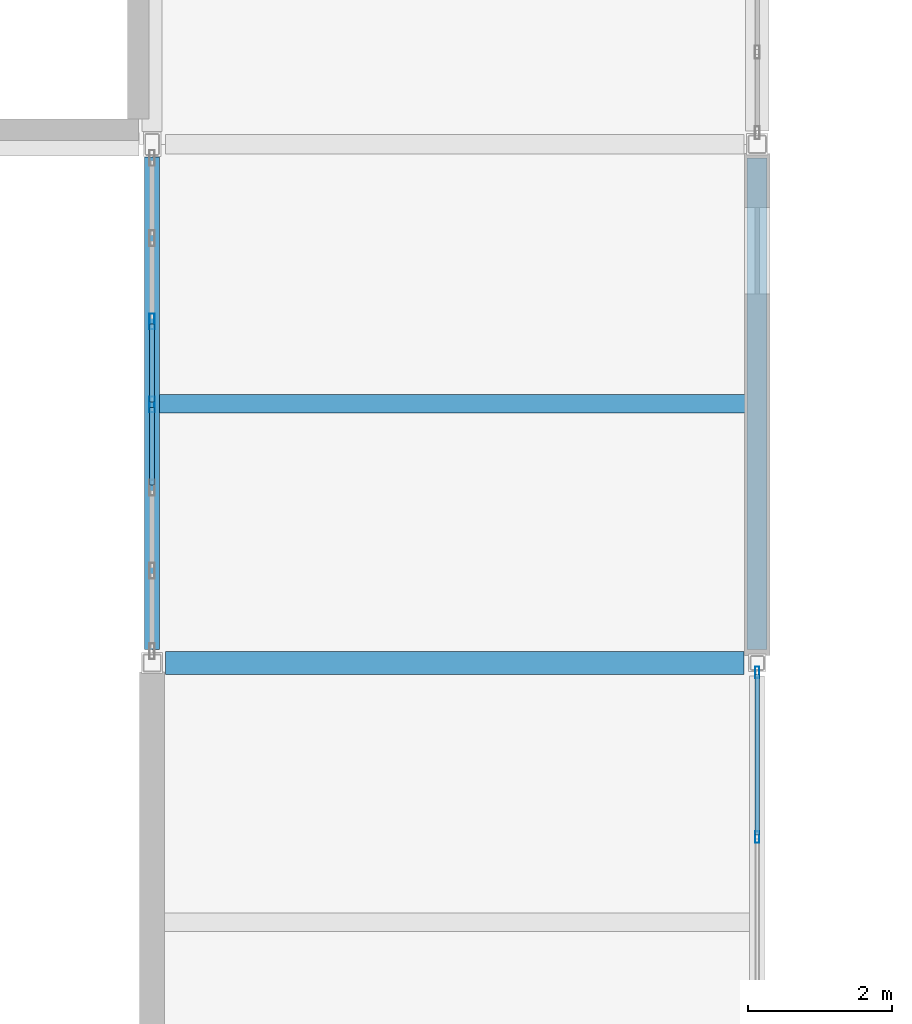
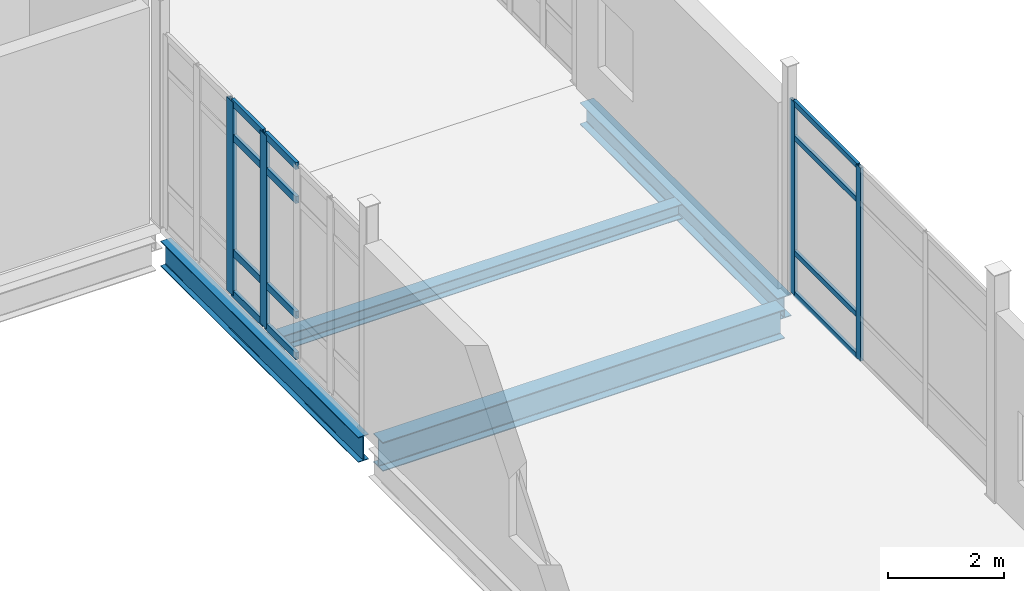
# One storey, part 56 of 153: 16 members, 4 beams, 2 elements without a shape of their own.
"""IFC4 building model written with IfcOpenShell, lengths in metres."""

from ifc_helpers import new_model, si_unit, direction, frame, origin, origin_2d, place, context, subcontext, project, spatial, hollow_rectangle, i_section, extrude, material, layer, layer_set, material_profile, profile_set, type_object, element, aggregate, save


model = new_model("IFC4")

# Units and contexts
model_context = context("Model", 3, precision=1e-05, world=origin(), true_north=direction((0.0, 1.0)))
body_context = subcontext(model_context, "Body", "Model", "MODEL_VIEW")
ifc_project = project(units=[si_unit("LENGTHUNIT", "METRE"), si_unit("AREAUNIT", "SQUARE_METRE"), si_unit("VOLUMEUNIT", "CUBIC_METRE"), si_unit("PLANEANGLEUNIT", "RADIAN"), si_unit("MASSUNIT", "GRAM", prefix="KILO")], contexts=[model_context])

# Site, building, storey
site_placement = place(None, origin())
site = spatial("IfcSite", under=ifc_project, at=site_placement, CompositionType="ELEMENT")
building_placement = place(site_placement, origin())
building = spatial("IfcBuilding", under=site, at=building_placement, Name="Calvrana Isthmian Art Gallery", CompositionType="ELEMENT")
storey_placement = place(building_placement, frame((0.0, 0.0, 10.199951171875)))
storey = spatial("IfcBuildingStorey", under=building, at=storey_placement, Name="L02", CompositionType="ELEMENT", Elevation=10.199951171875)

# Beams
ifc_material_1 = material(Name="Steel ASTM A992 Gr 50", Category="steel")
ifc_material_profile_1 = material_profile(ifc_material_1, i_section(OverallWidth=0.279052734375, OverallDepth=0.4619140625, WebThickness=0.0107421875, FlangeThickness=0.017333984375, FilletRadius=0.02001953125, at=origin_2d()), Name="W18X76")
ifc_profile_set_1 = profile_set([ifc_material_profile_1], Name="Steel ASTM A992 Gr 50")
beam_type_1 = type_object("IfcBeamType", Name="BM-G-W18X76", PredefinedType="BEAM", material=ifc_profile_set_1)
beam_1_placement = place(storey_placement, frame((63.60009765625, 91.384033203125, -0.495849609375), z_axis=(0.0, 1.0, 0.0), x_axis=(-1.0, 0.0, 0.0)))
element("IfcBeam", 1, at=beam_1_placement, inside=storey, type_object=beam_type_1, Name="Girder Y L02 09/M-N", PredefinedType="BEAM", context=body_context, shape_type="SweptSolid", body=[
    extrude(i_section(OverallWidth=0.279052734375, OverallDepth=0.4619140625, WebThickness=0.0107421875, FlangeThickness=0.017333984375, FilletRadius=0.02001953125, at=origin_2d()), origin(), (0.0, 0.0, 1.0), 6.829345703125),
])
ifc_material_profile_2 = material_profile(ifc_material_1, i_section(OverallWidth=0.208984375, OverallDepth=0.532958984375, WebThickness=0.01025390625, FlangeThickness=0.015625, FilletRadius=0.02099609375, at=origin_2d()), Name="W21X62")
ifc_profile_set_2 = profile_set([ifc_material_profile_2], Name="Steel ASTM A992 Gr 50")
beam_type_2 = type_object("IfcBeamType", Name="BM-G-W21X62", PredefinedType="BEAM", material=ifc_profile_set_2)
beam_2_placement = place(storey_placement, frame((55.199951171875, 91.386474609375, -0.531494140625), z_axis=(0.0, 1.0, 0.0), x_axis=(-1.0, 0.0, 0.0)))
element("IfcBeam", 2, at=beam_2_placement, inside=storey, type_object=beam_type_2, Name="Girder Y L02 08/M-N", PredefinedType="BEAM", context=body_context, shape_type="SweptSolid", body=[
    extrude(i_section(OverallWidth=0.208984375, OverallDepth=0.532958984375, WebThickness=0.01025390625, FlangeThickness=0.015625, FilletRadius=0.02099609375, at=origin_2d()), origin(), (0.0, 0.0, 1.0), 6.83544921875),
])
ifc_material_profile_3 = material_profile(ifc_material_1, i_section(OverallWidth=0.324951171875, OverallDepth=0.612060546875, WebThickness=0.0126953125, FlangeThickness=0.01904296875, FilletRadius=0.02197265625, at=origin_2d()), Name="W24X104")
ifc_profile_set_3 = profile_set([ifc_material_profile_3], Name="Steel ASTM A992 Gr 50")
beam_type_3 = type_object("IfcBeamType", Name="BM-G-W24X104", PredefinedType="BEAM", material=ifc_profile_set_3)
beam_3_placement = place(storey_placement, frame((55.386474609375, 91.199951171875, -0.571044921875), z_axis=(1.0, 0.0, 0.0), x_axis=(0.0, 1.0, 0.0)))
element("IfcBeam", 3, at=beam_3_placement, inside=storey, type_object=beam_type_3, Name="Girder X L02 08-09/M", PredefinedType="BEAM", context=body_context, shape_type="SweptSolid", body=[
    extrude(i_section(OverallWidth=0.324951171875, OverallDepth=0.612060546875, WebThickness=0.0126953125, FlangeThickness=0.01904296875, FilletRadius=0.02197265625, at=origin_2d()), origin(), (0.0, 0.0, 1.0), 8.027099609375),
])
ifc_material_profile_4 = material_profile(ifc_material_1, i_section(OverallWidth=0.25390625, OverallDepth=0.306884765625, WebThickness=0.0087890625, FlangeThickness=0.0146484375, FilletRadius=0.01611328125, at=origin_2d()), Name="W12X53")
ifc_profile_set_4 = profile_set([ifc_material_profile_4], Name="Steel ASTM A992 Gr 50")
beam_type_4 = type_object("IfcBeamType", Name="BM-J-W12X53", PredefinedType="JOIST", material=ifc_profile_set_4)
beam_4_placement = place(storey_placement, frame((55.304443359375, 94.800048828125, -0.41845703125), z_axis=(1.0, 0.0, 0.0), x_axis=(0.0, 1.0, 0.0)))
element("IfcBeam", 4, at=beam_4_placement, inside=storey, type_object=beam_type_4, Name="Composite joist L02 bay 07-12", PredefinedType="JOIST", context=body_context, shape_type="SweptSolid", body=[
    extrude(i_section(OverallWidth=0.25390625, OverallDepth=0.306884765625, WebThickness=0.0087890625, FlangeThickness=0.0146484375, FilletRadius=0.01611328125, at=origin_2d()), origin(), (0.0, 0.0, 1.0), 8.156005859375),
])

# Curtain wall, members
ifc_material_2 = material(Name="Anodized bronze aluminium 6063-T6", Category="aluminium")
ifc_layer = layer(ifc_material_2, 0.179931640625, Name="Anodized bronze aluminium 6063-T6")
ifc_layer_set = layer_set([ifc_layer], Name="Anodized bronze aluminium 6063-T6")
curtain_wall_type = type_object("IfcCurtainWallType", Name="CW-UNIT-069X41", PredefinedType="USERDEFINED", material=ifc_layer_set)
curtain_wall_1_placement = place(storey_placement, origin())
curtain_wall_1 = element("IfcCurtainWall", 5, at=curtain_wall_1_placement, inside=storey, type_object=curtain_wall_type, Name="Curtain wall CW-175", ObjectType="UNITISED CURTAIN WALL", PredefinedType="USERDEFINED")
ifc_material_profile_5 = material_profile(ifc_material_2, hollow_rectangle(XDim=0.06005859375, YDim=0.159912109375, WallThickness=0.00390625, at=origin_2d()), Name="CWM60X160")
ifc_profile_set_5 = profile_set([ifc_material_profile_5], Name="Anodized bronze aluminium 6063-T6")
member_type_1 = type_object("IfcMemberType", Name="CWM-CWM60X160", PredefinedType="MULLION", material=ifc_profile_set_5)
member_1_placement = place(storey_placement, frame((63.60009765625, 91.068359375, 0.0), z_axis=(0.0, 0.0, 1.0), x_axis=(1.0, 0.0, 0.0)))
member_1 = element("IfcMember", 6, at=member_1_placement, type_object=member_type_1, Name="CW-175 mullion 1", PredefinedType="MULLION", context=body_context, shape_type="SweptSolid", body=[
    extrude(hollow_rectangle(XDim=0.06005859375, YDim=0.159912109375, WallThickness=0.00390625, at=origin_2d()), origin(), (0.0, 0.0, 1.0), 4.078125),
])
member_2_placement = place(storey_placement, frame((63.60009765625, 88.782958984375, 0.0), z_axis=(0.0, 0.0, 1.0), x_axis=(1.0, 0.0, 0.0)))
member_2 = element("IfcMember", 7, at=member_2_placement, type_object=member_type_1, Name="CW-175 mullion 2", PredefinedType="MULLION", context=body_context, shape_type="SweptSolid", body=[
    extrude(hollow_rectangle(XDim=0.06005859375, YDim=0.159912109375, WallThickness=0.00390625, at=origin_2d()), origin(), (0.0, 0.0, 1.0), 4.078125),
])

curtain_wall_2_placement = place(storey_placement, origin())
curtain_wall_2 = element("IfcCurtainWall", 8, at=curtain_wall_2_placement, inside=storey, type_object=curtain_wall_type, Name="Curtain wall CW-172", ObjectType="UNITISED CURTAIN WALL", PredefinedType="USERDEFINED")
ifc_material_profile_6 = material_profile(ifc_material_2, hollow_rectangle(XDim=0.074951171875, YDim=0.219970703125, WallThickness=0.0048828125, at=origin_2d()), Name="CWM75X220")
ifc_profile_set_6 = profile_set([ifc_material_profile_6], Name="Anodized bronze aluminium 6063-T6")
member_type_2 = type_object("IfcMemberType", Name="CWM-CWM75X220", PredefinedType="MULLION", material=ifc_profile_set_6)
member_3_placement = place(storey_placement, frame((55.199951171875, 94.787353515625, 0.0), z_axis=(0.0, 0.0, 1.0), x_axis=(-1.0, 0.0, 0.0)))
member_3 = element("IfcMember", 9, at=member_3_placement, type_object=member_type_2, Name="CW-172 mullion 4", PredefinedType="MULLION", context=body_context, shape_type="SweptSolid", body=[
    extrude(hollow_rectangle(XDim=0.074951171875, YDim=0.219970703125, WallThickness=0.0048828125, at=origin_2d()), origin(), (0.0, 0.0, 1.0), 4.078125),
])
member_4_placement = place(storey_placement, frame((55.199951171875, 95.940673828125, 0.0), z_axis=(0.0, 0.0, 1.0), x_axis=(-1.0, 0.0, 0.0)))
member_4 = element("IfcMember", 10, at=member_4_placement, type_object=member_type_2, Name="CW-172 mullion 5", PredefinedType="MULLION", context=body_context, shape_type="SweptSolid", body=[
    extrude(hollow_rectangle(XDim=0.074951171875, YDim=0.219970703125, WallThickness=0.0048828125, at=origin_2d()), origin(), (0.0, 0.0, 1.0), 4.078125),
])

# Member
ifc_material_profile_7 = material_profile(ifc_material_2, hollow_rectangle(XDim=0.06005859375, YDim=0.110107421875, WallThickness=0.00341796875, at=origin_2d()), Name="CWT60X110")
ifc_profile_set_7 = profile_set([ifc_material_profile_7], Name="Anodized bronze aluminium 6063-T6")
member_type_3 = type_object("IfcMemberType", Name="CWT-CWT60X110", PredefinedType="USERDEFINED", material=ifc_profile_set_7)
member_5_placement = place(storey_placement, frame((63.60009765625, 91.038330078125, 0.030029296875), z_axis=(0.0, -1.0, 0.0), x_axis=(1.0, 0.0, 0.0)))
member_5 = element("IfcMember", 11, at=member_5_placement, type_object=member_type_3, Name="CW-175 transom 1.1", ObjectType="TRANSOM", PredefinedType="USERDEFINED", context=body_context, shape_type="SweptSolid", body=[
    extrude(hollow_rectangle(XDim=0.06005859375, YDim=0.110107421875, WallThickness=0.00341796875, at=origin_2d()), origin(), (0.0, 0.0, 1.0), 2.225341796875),
])

member_6_placement = place(storey_placement, frame((63.60009765625, 91.038330078125, 0.900146484375), z_axis=(0.0, -1.0, 0.0), x_axis=(1.0, 0.0, 0.0)))
member_6 = element("IfcMember", 12, at=member_6_placement, type_object=member_type_3, Name="CW-175 transom 1.2", ObjectType="TRANSOM", PredefinedType="USERDEFINED", context=body_context, shape_type="SweptSolid", body=[
    extrude(hollow_rectangle(XDim=0.06005859375, YDim=0.110107421875, WallThickness=0.00341796875, at=origin_2d()), origin(), (0.0, 0.0, 1.0), 2.225341796875),
])

member_7_placement = place(storey_placement, frame((63.60009765625, 91.038330078125, 3.328125), z_axis=(0.0, -1.0, 0.0), x_axis=(1.0, 0.0, 0.0)))
member_7 = element("IfcMember", 13, at=member_7_placement, type_object=member_type_3, Name="CW-175 transom 1.3", ObjectType="TRANSOM", PredefinedType="USERDEFINED", context=body_context, shape_type="SweptSolid", body=[
    extrude(hollow_rectangle(XDim=0.06005859375, YDim=0.110107421875, WallThickness=0.00341796875, at=origin_2d()), origin(), (0.0, 0.0, 1.0), 2.225341796875),
])

member_8_placement = place(storey_placement, frame((63.60009765625, 91.038330078125, 4.048095703125), z_axis=(0.0, -1.0, 0.0), x_axis=(1.0, 0.0, 0.0)))
member_8 = element("IfcMember", 14, at=member_8_placement, type_object=member_type_3, Name="CW-175 transom 1.4", ObjectType="TRANSOM", PredefinedType="USERDEFINED", context=body_context, shape_type="SweptSolid", body=[
    extrude(hollow_rectangle(XDim=0.06005859375, YDim=0.110107421875, WallThickness=0.00341796875, at=origin_2d()), origin(), (0.0, 0.0, 1.0), 2.225341796875),
])

aggregate(curtain_wall_1, [member_1, member_2, member_5, member_6, member_7, member_8])

ifc_material_profile_8 = material_profile(ifc_material_2, hollow_rectangle(XDim=0.06494140625, YDim=0.14990234375, WallThickness=0.00390625, at=origin_2d()), Name="CWT65X150")
ifc_profile_set_8 = profile_set([ifc_material_profile_8], Name="Anodized bronze aluminium 6063-T6")
member_type_4 = type_object("IfcMemberType", Name="CWT-CWT65X150", PredefinedType="USERDEFINED", material=ifc_profile_set_8)
member_9_placement = place(storey_placement, frame((55.199951171875, 93.67138671875, 0.032470703125), z_axis=(0.0, 1.0, 0.0), x_axis=(-1.0, 0.0, 0.0)))
member_9 = element("IfcMember", 15, at=member_9_placement, type_object=member_type_4, Name="CW-172 transom 3.1", ObjectType="TRANSOM", PredefinedType="USERDEFINED", context=body_context, shape_type="SweptSolid", body=[
    extrude(hollow_rectangle(XDim=0.06494140625, YDim=0.14990234375, WallThickness=0.00390625, at=origin_2d()), origin(), (0.0, 0.0, 1.0), 1.078369140625),
])

member_10_placement = place(storey_placement, frame((55.199951171875, 93.67138671875, 0.900146484375), z_axis=(0.0, 1.0, 0.0), x_axis=(-1.0, 0.0, 0.0)))
member_10 = element("IfcMember", 16, at=member_10_placement, type_object=member_type_4, Name="CW-172 transom 3.2", ObjectType="TRANSOM", PredefinedType="USERDEFINED", context=body_context, shape_type="SweptSolid", body=[
    extrude(hollow_rectangle(XDim=0.06494140625, YDim=0.14990234375, WallThickness=0.00390625, at=origin_2d()), origin(), (0.0, 0.0, 1.0), 1.078369140625),
])

member_11_placement = place(storey_placement, frame((55.199951171875, 93.67138671875, 3.328125), z_axis=(0.0, 1.0, 0.0), x_axis=(-1.0, 0.0, 0.0)))
member_11 = element("IfcMember", 17, at=member_11_placement, type_object=member_type_4, Name="CW-172 transom 3.3", ObjectType="TRANSOM", PredefinedType="USERDEFINED", context=body_context, shape_type="SweptSolid", body=[
    extrude(hollow_rectangle(XDim=0.06494140625, YDim=0.14990234375, WallThickness=0.00390625, at=origin_2d()), origin(), (0.0, 0.0, 1.0), 1.078369140625),
])

member_12_placement = place(storey_placement, frame((55.199951171875, 93.67138671875, 4.045654296875), z_axis=(0.0, 1.0, 0.0), x_axis=(-1.0, 0.0, 0.0)))
member_12 = element("IfcMember", 18, at=member_12_placement, type_object=member_type_4, Name="CW-172 transom 3.4", ObjectType="TRANSOM", PredefinedType="USERDEFINED", context=body_context, shape_type="SweptSolid", body=[
    extrude(hollow_rectangle(XDim=0.06494140625, YDim=0.14990234375, WallThickness=0.00390625, at=origin_2d()), origin(), (0.0, 0.0, 1.0), 1.078369140625),
])

member_13_placement = place(storey_placement, frame((55.199951171875, 94.82470703125, 0.032470703125), z_axis=(0.0, 1.0, 0.0), x_axis=(-1.0, 0.0, 0.0)))
member_13 = element("IfcMember", 19, at=member_13_placement, type_object=member_type_4, Name="CW-172 transom 4.1", ObjectType="TRANSOM", PredefinedType="USERDEFINED", context=body_context, shape_type="SweptSolid", body=[
    extrude(hollow_rectangle(XDim=0.06494140625, YDim=0.14990234375, WallThickness=0.00390625, at=origin_2d()), origin(), (0.0, 0.0, 1.0), 1.07861328125),
])

member_14_placement = place(storey_placement, frame((55.199951171875, 94.82470703125, 0.900146484375), z_axis=(0.0, 1.0, 0.0), x_axis=(-1.0, 0.0, 0.0)))
member_14 = element("IfcMember", 20, at=member_14_placement, type_object=member_type_4, Name="CW-172 transom 4.2", ObjectType="TRANSOM", PredefinedType="USERDEFINED", context=body_context, shape_type="SweptSolid", body=[
    extrude(hollow_rectangle(XDim=0.06494140625, YDim=0.14990234375, WallThickness=0.00390625, at=origin_2d()), origin(), (0.0, 0.0, 1.0), 1.07861328125),
])

member_15_placement = place(storey_placement, frame((55.199951171875, 94.82470703125, 3.328125), z_axis=(0.0, 1.0, 0.0), x_axis=(-1.0, 0.0, 0.0)))
member_15 = element("IfcMember", 21, at=member_15_placement, type_object=member_type_4, Name="CW-172 transom 4.3", ObjectType="TRANSOM", PredefinedType="USERDEFINED", context=body_context, shape_type="SweptSolid", body=[
    extrude(hollow_rectangle(XDim=0.06494140625, YDim=0.14990234375, WallThickness=0.00390625, at=origin_2d()), origin(), (0.0, 0.0, 1.0), 1.07861328125),
])

member_16_placement = place(storey_placement, frame((55.199951171875, 94.82470703125, 4.045654296875), z_axis=(0.0, 1.0, 0.0), x_axis=(-1.0, 0.0, 0.0)))
member_16 = element("IfcMember", 22, at=member_16_placement, type_object=member_type_4, Name="CW-172 transom 4.4", ObjectType="TRANSOM", PredefinedType="USERDEFINED", context=body_context, shape_type="SweptSolid", body=[
    extrude(hollow_rectangle(XDim=0.06494140625, YDim=0.14990234375, WallThickness=0.00390625, at=origin_2d()), origin(), (0.0, 0.0, 1.0), 1.07861328125),
])

aggregate(curtain_wall_2, [member_3, member_4, member_9, member_10, member_11, member_12, member_13, member_14, member_15, member_16])

save(model, "model.ifc")
